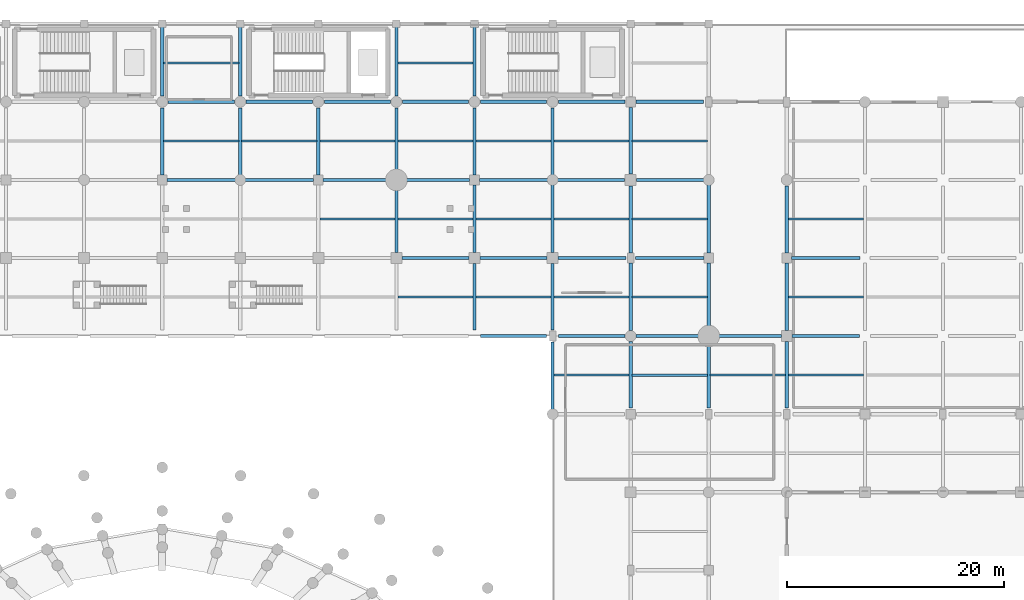
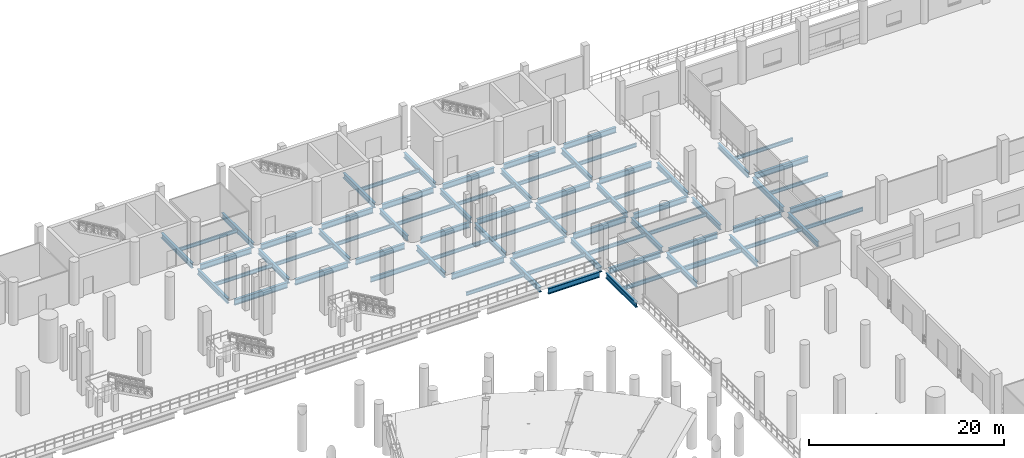
# One storey, part 13 of 58: 74 beams.
"""IFC4 building model written with IfcOpenShell, lengths in metres."""

from ifc_helpers import new_model, si_unit, direction, frame, origin, origin_2d, place, context, subcontext, project, spatial, i_section, extrude, material, material_profile, profile_set, type_object, element, save


model = new_model("IFC4")

# Units and contexts
model_context = context("Model", 3, precision=1e-05, world=origin(), true_north=direction((0.0, 1.0)))
body_context = subcontext(model_context, "Body", "Model", "MODEL_VIEW")
ifc_project = project(units=[si_unit("LENGTHUNIT", "METRE"), si_unit("AREAUNIT", "SQUARE_METRE"), si_unit("VOLUMEUNIT", "CUBIC_METRE"), si_unit("PLANEANGLEUNIT", "RADIAN"), si_unit("MASSUNIT", "GRAM", prefix="KILO")], contexts=[model_context])

# Site, building, storey
site_placement = place(None, origin())
site = spatial("IfcSite", under=ifc_project, at=site_placement, CompositionType="ELEMENT")
building_placement = place(site_placement, origin())
building = spatial("IfcBuilding", under=site, at=building_placement, Name="Qandorah Velis Arena", CompositionType="ELEMENT")
storey_placement = place(building_placement, origin())
storey = spatial("IfcBuildingStorey", under=building, at=storey_placement, Name="L00", CompositionType="ELEMENT", Elevation=0.0)

# Beams
ifc_material = material(Name="Steel S355", Category="steel")
ifc_material_profile_1 = material_profile(ifc_material, i_section(OverallWidth=0.300048828125, OverallDepth=0.64990234375, WebThickness=0.01611328125, FlangeThickness=0.031005859375, FilletRadius=0.027099609375, at=origin_2d()), Name="HEB 650")
ifc_profile_set_1 = profile_set([ifc_material_profile_1], Name="Steel S355")
beam_type_1 = type_object("IfcBeamType", Name="STR-BM-HEB650", PredefinedType="BEAM", material=ifc_profile_set_1)
beam_1_placement = place(storey_placement, frame((64.800048828125, 115.64990234375, -0.7451171875), z_axis=(0.0, 1.0, 0.0), x_axis=(-1.0, 0.0, 0.0)))
element("IfcBeam", 1, at=beam_1_placement, inside=storey, type_object=beam_type_1, Name="Primary floor girder L00 Y-384", PredefinedType="BEAM", context=body_context, shape_type="SweptSolid", body=[
    extrude(i_section(OverallWidth=0.300048828125, OverallDepth=0.64990234375, WebThickness=0.01611328125, FlangeThickness=0.031005859375, FilletRadius=0.027099609375, at=origin_2d()), origin(), (0.0, 0.0, 1.0), 6.2001953125),
])
beam_2_placement = place(storey_placement, frame((64.800048828125, 122.949951171875, -0.7451171875), z_axis=(0.0, 1.0, 0.0), x_axis=(-1.0, 0.0, 0.0)))
element("IfcBeam", 2, at=beam_2_placement, inside=storey, type_object=beam_type_1, Name="Primary floor girder L00 Y-385", PredefinedType="BEAM", context=body_context, shape_type="SweptSolid", body=[
    extrude(i_section(OverallWidth=0.300048828125, OverallDepth=0.64990234375, WebThickness=0.01611328125, FlangeThickness=0.031005859375, FilletRadius=0.027099609375, at=origin_2d()), origin(), (0.0, 0.0, 1.0), 6.35009765625),
])
beam_3_placement = place(storey_placement, frame((72.0, 115.64990234375, -0.7451171875), z_axis=(0.0, 1.0, 0.0), x_axis=(-1.0, 0.0, 0.0)))
element("IfcBeam", 3, at=beam_3_placement, inside=storey, type_object=beam_type_1, Name="Primary floor girder L00 Y-392", PredefinedType="BEAM", context=body_context, shape_type="SweptSolid", body=[
    extrude(i_section(OverallWidth=0.300048828125, OverallDepth=0.64990234375, WebThickness=0.01611328125, FlangeThickness=0.031005859375, FilletRadius=0.027099609375, at=origin_2d()), origin(), (0.0, 0.0, 1.0), 6.2001953125),
])
beam_4_placement = place(storey_placement, frame((72.0, 122.949951171875, -0.7451171875), z_axis=(0.0, 1.0, 0.0), x_axis=(-1.0, 0.0, 0.0)))
element("IfcBeam", 4, at=beam_4_placement, inside=storey, type_object=beam_type_1, Name="Primary floor girder L00 Y-393", PredefinedType="BEAM", context=body_context, shape_type="SweptSolid", body=[
    extrude(i_section(OverallWidth=0.300048828125, OverallDepth=0.64990234375, WebThickness=0.01611328125, FlangeThickness=0.031005859375, FilletRadius=0.027099609375, at=origin_2d()), origin(), (0.0, 0.0, 1.0), 6.35009765625),
])
beam_5_placement = place(storey_placement, frame((79.199951171875, 115.64990234375, -0.7451171875), z_axis=(0.0, 1.0, 0.0), x_axis=(-1.0, 0.0, 0.0)))
element("IfcBeam", 5, at=beam_5_placement, inside=storey, type_object=beam_type_1, Name="Primary floor girder L00 Y-399", PredefinedType="BEAM", context=body_context, shape_type="SweptSolid", body=[
    extrude(i_section(OverallWidth=0.300048828125, OverallDepth=0.64990234375, WebThickness=0.01611328125, FlangeThickness=0.031005859375, FilletRadius=0.027099609375, at=origin_2d()), origin(), (0.0, 0.0, 1.0), 6.2001953125),
])
beam_6_placement = place(storey_placement, frame((86.39990234375, 108.5, -0.7451171875), z_axis=(0.0, 1.0, 0.0), x_axis=(-1.0, 0.0, 0.0)))
element("IfcBeam", 6, at=beam_6_placement, inside=storey, type_object=beam_type_1, Name="Primary floor girder L00 Y-405", PredefinedType="BEAM", context=body_context, shape_type="SweptSolid", body=[
    extrude(i_section(OverallWidth=0.300048828125, OverallDepth=0.64990234375, WebThickness=0.01611328125, FlangeThickness=0.031005859375, FilletRadius=0.027099609375, at=origin_2d()), origin(), (0.0, 0.0, 1.0), 5.75),
])
beam_7_placement = place(storey_placement, frame((86.39990234375, 116.14990234375, -0.7451171875), z_axis=(0.0, 1.0, 0.0), x_axis=(-1.0, 0.0, 0.0)))
element("IfcBeam", 7, at=beam_7_placement, inside=storey, type_object=beam_type_1, Name="Primary floor girder L00 Y-406", PredefinedType="BEAM", context=body_context, shape_type="SweptSolid", body=[
    extrude(i_section(OverallWidth=0.300048828125, OverallDepth=0.64990234375, WebThickness=0.01611328125, FlangeThickness=0.031005859375, FilletRadius=0.027099609375, at=origin_2d()), origin(), (0.0, 0.0, 1.0), 5.7001953125),
])
beam_8_placement = place(storey_placement, frame((86.39990234375, 122.949951171875, -0.7451171875), z_axis=(0.0, 1.0, 0.0), x_axis=(-1.0, 0.0, 0.0)))
element("IfcBeam", 8, at=beam_8_placement, inside=storey, type_object=beam_type_1, Name="Primary floor girder L00 Y-407", PredefinedType="BEAM", context=body_context, shape_type="SweptSolid", body=[
    extrude(i_section(OverallWidth=0.300048828125, OverallDepth=0.64990234375, WebThickness=0.01611328125, FlangeThickness=0.031005859375, FilletRadius=0.027099609375, at=origin_2d()), origin(), (0.0, 0.0, 1.0), 6.35009765625),
])
beam_9_placement = place(storey_placement, frame((93.60009765625, 101.35009765625, -0.7451171875), z_axis=(0.0, 1.0, 0.0), x_axis=(-1.0, 0.0, 0.0)))
element("IfcBeam", 9, at=beam_9_placement, inside=storey, type_object=beam_type_1, Name="Primary floor girder L00 Y-412", PredefinedType="BEAM", context=body_context, shape_type="SweptSolid", body=[
    extrude(i_section(OverallWidth=0.300048828125, OverallDepth=0.64990234375, WebThickness=0.01611328125, FlangeThickness=0.031005859375, FilletRadius=0.027099609375, at=origin_2d()), origin(), (0.0, 0.0, 1.0), 6.14990234375),
])
beam_10_placement = place(storey_placement, frame((93.60009765625, 108.5, -0.7451171875), z_axis=(0.0, 1.0, 0.0), x_axis=(-1.0, 0.0, 0.0)))
element("IfcBeam", 10, at=beam_10_placement, inside=storey, type_object=beam_type_1, Name="Primary floor girder L00 Y-413", PredefinedType="BEAM", context=body_context, shape_type="SweptSolid", body=[
    extrude(i_section(OverallWidth=0.300048828125, OverallDepth=0.64990234375, WebThickness=0.01611328125, FlangeThickness=0.031005859375, FilletRadius=0.027099609375, at=origin_2d()), origin(), (0.0, 0.0, 1.0), 6.25),
])
beam_11_placement = place(storey_placement, frame((93.60009765625, 115.64990234375, -0.7451171875), z_axis=(0.0, 1.0, 0.0), x_axis=(-1.0, 0.0, 0.0)))
element("IfcBeam", 11, at=beam_11_placement, inside=storey, type_object=beam_type_1, Name="Primary floor girder L00 Y-414", PredefinedType="BEAM", context=body_context, shape_type="SweptSolid", body=[
    extrude(i_section(OverallWidth=0.300048828125, OverallDepth=0.64990234375, WebThickness=0.01611328125, FlangeThickness=0.031005859375, FilletRadius=0.027099609375, at=origin_2d()), origin(), (0.0, 0.0, 1.0), 6.2001953125),
])
beam_12_placement = place(storey_placement, frame((93.60009765625, 122.949951171875, -0.7451171875), z_axis=(0.0, 1.0, 0.0), x_axis=(-1.0, 0.0, 0.0)))
element("IfcBeam", 12, at=beam_12_placement, inside=storey, type_object=beam_type_1, Name="Primary floor girder L00 Y-415", PredefinedType="BEAM", context=body_context, shape_type="SweptSolid", body=[
    extrude(i_section(OverallWidth=0.300048828125, OverallDepth=0.64990234375, WebThickness=0.01611328125, FlangeThickness=0.031005859375, FilletRadius=0.027099609375, at=origin_2d()), origin(), (0.0, 0.0, 1.0), 6.35009765625),
])
beam_13_placement = place(storey_placement, frame((100.800048828125, 94.050048828125, -0.7451171875), z_axis=(0.0, 1.0, 0.0), x_axis=(-1.0, 0.0, 0.0)))
element("IfcBeam", 13, at=beam_13_placement, inside=storey, type_object=beam_type_1, Name="Primary floor girder L00 Y-421", PredefinedType="BEAM", context=body_context, shape_type="SweptSolid", body=[
    extrude(i_section(OverallWidth=0.300048828125, OverallDepth=0.64990234375, WebThickness=0.01611328125, FlangeThickness=0.031005859375, FilletRadius=0.027099609375, at=origin_2d()), origin(), (0.0, 0.0, 1.0), 6.199951171875),
])
beam_14_placement = place(storey_placement, frame((100.800048828125, 101.35009765625, -0.7451171875), z_axis=(0.0, 1.0, 0.0), x_axis=(-1.0, 0.0, 0.0)))
element("IfcBeam", 14, at=beam_14_placement, inside=storey, type_object=beam_type_1, Name="Primary floor girder L00 Y-422", PredefinedType="BEAM", context=body_context, shape_type="SweptSolid", body=[
    extrude(i_section(OverallWidth=0.300048828125, OverallDepth=0.64990234375, WebThickness=0.01611328125, FlangeThickness=0.031005859375, FilletRadius=0.027099609375, at=origin_2d()), origin(), (0.0, 0.0, 1.0), 6.14990234375),
])
beam_15_placement = place(storey_placement, frame((100.800048828125, 108.5, -0.7451171875), z_axis=(0.0, 1.0, 0.0), x_axis=(-1.0, 0.0, 0.0)))
element("IfcBeam", 15, at=beam_15_placement, inside=storey, type_object=beam_type_1, Name="Primary floor girder L00 Y-423", PredefinedType="BEAM", context=body_context, shape_type="SweptSolid", body=[
    extrude(i_section(OverallWidth=0.300048828125, OverallDepth=0.64990234375, WebThickness=0.01611328125, FlangeThickness=0.031005859375, FilletRadius=0.027099609375, at=origin_2d()), origin(), (0.0, 0.0, 1.0), 6.25),
])
beam_16_placement = place(storey_placement, frame((100.800048828125, 115.64990234375, -0.7451171875), z_axis=(0.0, 1.0, 0.0), x_axis=(-1.0, 0.0, 0.0)))
element("IfcBeam", 16, at=beam_16_placement, inside=storey, type_object=beam_type_1, Name="Primary floor girder L00 Y-424", PredefinedType="BEAM", context=body_context, shape_type="SweptSolid", body=[
    extrude(i_section(OverallWidth=0.300048828125, OverallDepth=0.64990234375, WebThickness=0.01611328125, FlangeThickness=0.031005859375, FilletRadius=0.027099609375, at=origin_2d()), origin(), (0.0, 0.0, 1.0), 6.2001953125),
])
beam_17_placement = place(storey_placement, frame((108.0, 94.14990234375, -0.7451171875), z_axis=(0.0, 1.0, 0.0), x_axis=(-1.0, 0.0, 0.0)))
element("IfcBeam", 17, at=beam_17_placement, inside=storey, type_object=beam_type_1, Name="Primary floor girder L00 Y-438", PredefinedType="BEAM", context=body_context, shape_type="SweptSolid", body=[
    extrude(i_section(OverallWidth=0.300048828125, OverallDepth=0.64990234375, WebThickness=0.01611328125, FlangeThickness=0.031005859375, FilletRadius=0.027099609375, at=origin_2d()), origin(), (0.0, 0.0, 1.0), 6.150146484375),
])
beam_18_placement = place(storey_placement, frame((108.0, 101.300048828125, -0.7451171875), z_axis=(0.0, 1.0, 0.0), x_axis=(-1.0, 0.0, 0.0)))
element("IfcBeam", 18, at=beam_18_placement, inside=storey, type_object=beam_type_1, Name="Primary floor girder L00 Y-439", PredefinedType="BEAM", context=body_context, shape_type="SweptSolid", body=[
    extrude(i_section(OverallWidth=0.300048828125, OverallDepth=0.64990234375, WebThickness=0.01611328125, FlangeThickness=0.031005859375, FilletRadius=0.027099609375, at=origin_2d()), origin(), (0.0, 0.0, 1.0), 6.25),
])
beam_19_placement = place(storey_placement, frame((108.0, 108.449951171875, -0.7451171875), z_axis=(0.0, 1.0, 0.0), x_axis=(-1.0, 0.0, 0.0)))
element("IfcBeam", 19, at=beam_19_placement, inside=storey, type_object=beam_type_1, Name="Primary floor girder L00 Y-440", PredefinedType="BEAM", context=body_context, shape_type="SweptSolid", body=[
    extrude(i_section(OverallWidth=0.300048828125, OverallDepth=0.64990234375, WebThickness=0.01611328125, FlangeThickness=0.031005859375, FilletRadius=0.027099609375, at=origin_2d()), origin(), (0.0, 0.0, 1.0), 6.199951171875),
])
beam_20_placement = place(storey_placement, frame((108.0, 115.75, -0.7451171875), z_axis=(0.0, 1.0, 0.0), x_axis=(-1.0, 0.0, 0.0)))
element("IfcBeam", 20, at=beam_20_placement, inside=storey, type_object=beam_type_1, Name="Primary floor girder L00 Y-441", PredefinedType="BEAM", context=body_context, shape_type="SweptSolid", body=[
    extrude(i_section(OverallWidth=0.300048828125, OverallDepth=0.64990234375, WebThickness=0.01611328125, FlangeThickness=0.031005859375, FilletRadius=0.027099609375, at=origin_2d()), origin(), (0.0, 0.0, 1.0), 6.14990234375),
])
beam_21_placement = place(storey_placement, frame((115.199951171875, 94.14990234375, -0.7451171875), z_axis=(0.0, 1.0, 0.0), x_axis=(-1.0, 0.0, 0.0)))
element("IfcBeam", 21, at=beam_21_placement, inside=storey, type_object=beam_type_1, Name="Primary floor girder L00 Y-455", PredefinedType="BEAM", context=body_context, shape_type="SweptSolid", body=[
    extrude(i_section(OverallWidth=0.300048828125, OverallDepth=0.64990234375, WebThickness=0.01611328125, FlangeThickness=0.031005859375, FilletRadius=0.027099609375, at=origin_2d()), origin(), (0.0, 0.0, 1.0), 5.7001953125),
])
beam_22_placement = place(storey_placement, frame((115.199951171875, 101.75, -0.7451171875), z_axis=(0.0, 1.0, 0.0), x_axis=(-1.0, 0.0, 0.0)))
element("IfcBeam", 22, at=beam_22_placement, inside=storey, type_object=beam_type_1, Name="Primary floor girder L00 Y-456", PredefinedType="BEAM", context=body_context, shape_type="SweptSolid", body=[
    extrude(i_section(OverallWidth=0.300048828125, OverallDepth=0.64990234375, WebThickness=0.01611328125, FlangeThickness=0.031005859375, FilletRadius=0.027099609375, at=origin_2d()), origin(), (0.0, 0.0, 1.0), 5.800048828125),
])
beam_23_placement = place(storey_placement, frame((115.199951171875, 108.449951171875, -0.7451171875), z_axis=(0.0, 1.0, 0.0), x_axis=(-1.0, 0.0, 0.0)))
element("IfcBeam", 23, at=beam_23_placement, inside=storey, type_object=beam_type_1, Name="Primary floor girder L00 Y-457", PredefinedType="BEAM", context=body_context, shape_type="SweptSolid", body=[
    extrude(i_section(OverallWidth=0.300048828125, OverallDepth=0.64990234375, WebThickness=0.01611328125, FlangeThickness=0.031005859375, FilletRadius=0.027099609375, at=origin_2d()), origin(), (0.0, 0.0, 1.0), 6.300048828125),
])
beam_24_placement = place(storey_placement, frame((122.39990234375, 94.14990234375, -0.7451171875), z_axis=(0.0, 1.0, 0.0), x_axis=(-1.0, 0.0, 0.0)))
element("IfcBeam", 24, at=beam_24_placement, inside=storey, type_object=beam_type_1, Name="Primary floor girder L00 Y-467", PredefinedType="BEAM", context=body_context, shape_type="SweptSolid", body=[
    extrude(i_section(OverallWidth=0.300048828125, OverallDepth=0.64990234375, WebThickness=0.01611328125, FlangeThickness=0.031005859375, FilletRadius=0.027099609375, at=origin_2d()), origin(), (0.0, 0.0, 1.0), 6.150146484375),
])
beam_25_placement = place(storey_placement, frame((122.39990234375, 101.300048828125, -0.7451171875), z_axis=(0.0, 1.0, 0.0), x_axis=(-1.0, 0.0, 0.0)))
element("IfcBeam", 25, at=beam_25_placement, inside=storey, type_object=beam_type_1, Name="Primary floor girder L00 Y-468", PredefinedType="BEAM", context=body_context, shape_type="SweptSolid", body=[
    extrude(i_section(OverallWidth=0.300048828125, OverallDepth=0.64990234375, WebThickness=0.01611328125, FlangeThickness=0.031005859375, FilletRadius=0.027099609375, at=origin_2d()), origin(), (0.0, 0.0, 1.0), 6.25),
])
beam_26_placement = place(storey_placement, frame((122.39990234375, 108.449951171875, -0.7451171875), z_axis=(0.0, 1.0, 0.0), x_axis=(-1.0, 0.0, 0.0)))
element("IfcBeam", 26, at=beam_26_placement, inside=storey, type_object=beam_type_1, Name="Primary floor girder L00 Y-469", PredefinedType="BEAM", context=body_context, shape_type="SweptSolid", body=[
    extrude(i_section(OverallWidth=0.300048828125, OverallDepth=0.64990234375, WebThickness=0.01611328125, FlangeThickness=0.031005859375, FilletRadius=0.027099609375, at=origin_2d()), origin(), (0.0, 0.0, 1.0), 6.199951171875),
])
ifc_material_profile_2 = material_profile(ifc_material, i_section(OverallWidth=0.300048828125, OverallDepth=0.699951171875, WebThickness=0.01708984375, FlangeThickness=0.031982421875, FilletRadius=0.027099609375, at=origin_2d()), Name="HEB 700")
ifc_profile_set_2 = profile_set([ifc_material_profile_2], Name="Steel S355")
beam_type_2 = type_object("IfcBeamType", Name="STR-BM-HEB700", PredefinedType="BEAM", material=ifc_profile_set_2)
beam_27_placement = place(storey_placement, frame((94.14990234375, 100.800048828125, -0.77001953125), z_axis=(1.0, 0.0, 0.0), x_axis=(0.0, 1.0, 0.0)))
element("IfcBeam", 27, at=beam_27_placement, inside=storey, type_object=beam_type_2, Name="Primary floor girder L00 X-186", PredefinedType="BEAM", context=body_context, shape_type="SweptSolid", body=[
    extrude(i_section(OverallWidth=0.300048828125, OverallDepth=0.699951171875, WebThickness=0.01708984375, FlangeThickness=0.031982421875, FilletRadius=0.027099609375, at=origin_2d()), origin(), (0.0, 0.0, 1.0), 6.10009765625),
])
beam_28_placement = place(storey_placement, frame((101.35009765625, 100.800048828125, -0.77001953125), z_axis=(1.0, 0.0, 0.0), x_axis=(0.0, 1.0, 0.0)))
element("IfcBeam", 28, at=beam_28_placement, inside=storey, type_object=beam_type_2, Name="Primary floor girder L00 X-187", PredefinedType="BEAM", context=body_context, shape_type="SweptSolid", body=[
    extrude(i_section(OverallWidth=0.300048828125, OverallDepth=0.699951171875, WebThickness=0.01708984375, FlangeThickness=0.031982421875, FilletRadius=0.027099609375, at=origin_2d()), origin(), (0.0, 0.0, 1.0), 6.14990234375),
])
for number, where, z_axis, x_axis, name in (
    (29, (108.5, 100.800048828125, -0.77001953125), (1.0, 0.0, 0.0), (0.0, 1.0, 0.0), "Primary floor girder L00 X-188"),
    (30, (116.14990234375, 100.800048828125, -0.77001953125), (1.0, 0.0, 0.0), (0.0, 1.0, 0.0), "Primary floor girder L00 X-189"),
):
    element("IfcBeam", number, at=place(storey_placement, frame(where, z_axis=z_axis, x_axis=x_axis)), inside=storey, type_object=beam_type_2, Name=name, PredefinedType="BEAM", context=body_context, shape_type="SweptSolid", body=[
        extrude(i_section(OverallWidth=0.300048828125, OverallDepth=0.699951171875, WebThickness=0.01708984375, FlangeThickness=0.031982421875, FilletRadius=0.027099609375, at=origin_2d()), origin(), (0.0, 0.0, 1.0), 5.75),
    ])
for number, where, z_axis, x_axis, name in (
    (31, (122.89990234375, 100.800048828125, -0.77001953125), (1.0, 0.0, 0.0), (0.0, 1.0, 0.0), "Primary floor girder L00 X-190"),
    (32, (86.89990234375, 108.0, -0.77001953125), (1.0, 0.0, 0.0), (0.0, 1.0, 0.0), "Primary floor girder L00 X-207"),
):
    element("IfcBeam", number, at=place(storey_placement, frame(where, z_axis=z_axis, x_axis=x_axis)), inside=storey, type_object=beam_type_2, Name=name, PredefinedType="BEAM", context=body_context, shape_type="SweptSolid", body=[
        extrude(i_section(OverallWidth=0.300048828125, OverallDepth=0.699951171875, WebThickness=0.01708984375, FlangeThickness=0.031982421875, FilletRadius=0.027099609375, at=origin_2d()), origin(), (0.0, 0.0, 1.0), 6.2001953125),
    ])
beam_29_placement = place(storey_placement, frame((94.10009765625, 108.0, -0.77001953125), z_axis=(1.0, 0.0, 0.0), x_axis=(0.0, 1.0, 0.0)))
element("IfcBeam", 33, at=beam_29_placement, inside=storey, type_object=beam_type_2, Name="Primary floor girder L00 X-208", PredefinedType="BEAM", context=body_context, shape_type="SweptSolid", body=[
    extrude(i_section(OverallWidth=0.300048828125, OverallDepth=0.699951171875, WebThickness=0.01708984375, FlangeThickness=0.031982421875, FilletRadius=0.027099609375, at=origin_2d()), origin(), (0.0, 0.0, 1.0), 6.199951171875),
])
beam_30_placement = place(storey_placement, frame((101.300048828125, 108.0, -0.77001953125), z_axis=(1.0, 0.0, 0.0), x_axis=(0.0, 1.0, 0.0)))
element("IfcBeam", 34, at=beam_30_placement, inside=storey, type_object=beam_type_2, Name="Primary floor girder L00 X-209", PredefinedType="BEAM", context=body_context, shape_type="SweptSolid", body=[
    extrude(i_section(OverallWidth=0.300048828125, OverallDepth=0.699951171875, WebThickness=0.01708984375, FlangeThickness=0.031982421875, FilletRadius=0.027099609375, at=origin_2d()), origin(), (0.0, 0.0, 1.0), 6.25),
])
beam_31_placement = place(storey_placement, frame((108.449951171875, 108.0, -0.77001953125), z_axis=(1.0, 0.0, 0.0), x_axis=(0.0, 1.0, 0.0)))
element("IfcBeam", 35, at=beam_31_placement, inside=storey, type_object=beam_type_2, Name="Primary floor girder L00 X-210", PredefinedType="BEAM", context=body_context, shape_type="SweptSolid", body=[
    extrude(i_section(OverallWidth=0.300048828125, OverallDepth=0.699951171875, WebThickness=0.01708984375, FlangeThickness=0.031982421875, FilletRadius=0.027099609375, at=origin_2d()), origin(), (0.0, 0.0, 1.0), 6.300048828125),
])
beam_32_placement = place(storey_placement, frame((122.85009765625, 108.0, -0.77001953125), z_axis=(1.0, 0.0, 0.0), x_axis=(0.0, 1.0, 0.0)))
element("IfcBeam", 36, at=beam_32_placement, inside=storey, type_object=beam_type_2, Name="Primary floor girder L00 X-211", PredefinedType="BEAM", context=body_context, shape_type="SweptSolid", body=[
    extrude(i_section(OverallWidth=0.300048828125, OverallDepth=0.699951171875, WebThickness=0.01708984375, FlangeThickness=0.031982421875, FilletRadius=0.027099609375, at=origin_2d()), origin(), (0.0, 0.0, 1.0), 6.2998046875),
])
for number, where, z_axis, x_axis, name in (
    (37, (65.25, 115.199951171875, -0.77001953125), (1.0, 0.0, 0.0), (0.0, 1.0, 0.0), "Primary floor girder L00 X-223"),
    (38, (72.449951171875, 115.199951171875, -0.77001953125), (1.0, 0.0, 0.0), (0.0, 1.0, 0.0), "Primary floor girder L00 X-224"),
):
    element("IfcBeam", number, at=place(storey_placement, frame(where, z_axis=z_axis, x_axis=x_axis)), inside=storey, type_object=beam_type_2, Name=name, PredefinedType="BEAM", context=body_context, shape_type="SweptSolid", body=[
        extrude(i_section(OverallWidth=0.300048828125, OverallDepth=0.699951171875, WebThickness=0.01708984375, FlangeThickness=0.031982421875, FilletRadius=0.027099609375, at=origin_2d()), origin(), (0.0, 0.0, 1.0), 6.300048828125),
    ])
beam_33_placement = place(storey_placement, frame((79.64990234375, 115.199951171875, -0.77001953125), z_axis=(1.0, 0.0, 0.0), x_axis=(0.0, 1.0, 0.0)))
element("IfcBeam", 39, at=beam_33_placement, inside=storey, type_object=beam_type_2, Name="Primary floor girder L00 X-225", PredefinedType="BEAM", context=body_context, shape_type="SweptSolid", body=[
    extrude(i_section(OverallWidth=0.300048828125, OverallDepth=0.699951171875, WebThickness=0.01708984375, FlangeThickness=0.031982421875, FilletRadius=0.027099609375, at=origin_2d()), origin(), (0.0, 0.0, 1.0), 5.800048828125),
])
beam_34_placement = place(storey_placement, frame((87.35009765625, 115.199951171875, -0.77001953125), z_axis=(1.0, 0.0, 0.0), x_axis=(0.0, 1.0, 0.0)))
element("IfcBeam", 40, at=beam_34_placement, inside=storey, type_object=beam_type_2, Name="Primary floor girder L00 X-226", PredefinedType="BEAM", context=body_context, shape_type="SweptSolid", body=[
    extrude(i_section(OverallWidth=0.300048828125, OverallDepth=0.699951171875, WebThickness=0.01708984375, FlangeThickness=0.031982421875, FilletRadius=0.027099609375, at=origin_2d()), origin(), (0.0, 0.0, 1.0), 5.7998046875),
])
beam_35_placement = place(storey_placement, frame((94.050048828125, 115.199951171875, -0.77001953125), z_axis=(1.0, 0.0, 0.0), x_axis=(0.0, 1.0, 0.0)))
element("IfcBeam", 41, at=beam_35_placement, inside=storey, type_object=beam_type_2, Name="Primary floor girder L00 X-227", PredefinedType="BEAM", context=body_context, shape_type="SweptSolid", body=[
    extrude(i_section(OverallWidth=0.300048828125, OverallDepth=0.699951171875, WebThickness=0.01708984375, FlangeThickness=0.031982421875, FilletRadius=0.027099609375, at=origin_2d()), origin(), (0.0, 0.0, 1.0), 6.300048828125),
])
for number, where, z_axis, x_axis, name in (
    (42, (101.25, 115.199951171875, -0.77001953125), (1.0, 0.0, 0.0), (0.0, 1.0, 0.0), "Primary floor girder L00 X-228"),
    (43, (108.550048828125, 115.199951171875, -0.77001953125), (1.0, 0.0, 0.0), (0.0, 1.0, 0.0), "Primary floor girder L00 X-229"),
):
    element("IfcBeam", number, at=place(storey_placement, frame(where, z_axis=z_axis, x_axis=x_axis)), inside=storey, type_object=beam_type_2, Name=name, PredefinedType="BEAM", context=body_context, shape_type="SweptSolid", body=[
        extrude(i_section(OverallWidth=0.300048828125, OverallDepth=0.699951171875, WebThickness=0.01708984375, FlangeThickness=0.031982421875, FilletRadius=0.027099609375, at=origin_2d()), origin(), (0.0, 0.0, 1.0), 6.199951171875),
    ])
for number, where, z_axis, x_axis, name in (
    (44, (65.35009765625, 122.39990234375, -0.77001953125), (1.0, 0.0, 0.0), (0.0, 1.0, 0.0), "Primary floor girder L00 X-245"),
    (45, (72.550048828125, 122.39990234375, -0.77001953125), (1.0, 0.0, 0.0), (0.0, 1.0, 0.0), "Primary floor girder L00 X-246"),
):
    element("IfcBeam", number, at=place(storey_placement, frame(where, z_axis=z_axis, x_axis=x_axis)), inside=storey, type_object=beam_type_2, Name=name, PredefinedType="BEAM", context=body_context, shape_type="SweptSolid", body=[
        extrude(i_section(OverallWidth=0.300048828125, OverallDepth=0.699951171875, WebThickness=0.01708984375, FlangeThickness=0.031982421875, FilletRadius=0.027099609375, at=origin_2d()), origin(), (0.0, 0.0, 1.0), 6.099853515625),
    ])
for number, where, z_axis, x_axis, name in (
    (46, (79.75, 122.39990234375, -0.77001953125), (1.0, 0.0, 0.0), (0.0, 1.0, 0.0), "Primary floor girder L00 X-247"),
    (47, (86.949951171875, 122.39990234375, -0.77001953125), (1.0, 0.0, 0.0), (0.0, 1.0, 0.0), "Primary floor girder L00 X-248"),
    (48, (94.14990234375, 122.39990234375, -0.77001953125), (1.0, 0.0, 0.0), (0.0, 1.0, 0.0), "Primary floor girder L00 X-249"),
):
    element("IfcBeam", number, at=place(storey_placement, frame(where, z_axis=z_axis, x_axis=x_axis)), inside=storey, type_object=beam_type_2, Name=name, PredefinedType="BEAM", context=body_context, shape_type="SweptSolid", body=[
        extrude(i_section(OverallWidth=0.300048828125, OverallDepth=0.699951171875, WebThickness=0.01708984375, FlangeThickness=0.031982421875, FilletRadius=0.027099609375, at=origin_2d()), origin(), (0.0, 0.0, 1.0), 6.10009765625),
    ])
beam_36_placement = place(storey_placement, frame((101.35009765625, 122.39990234375, -0.77001953125), z_axis=(1.0, 0.0, 0.0), x_axis=(0.0, 1.0, 0.0)))
element("IfcBeam", 49, at=beam_36_placement, inside=storey, type_object=beam_type_2, Name="Primary floor girder L00 X-250", PredefinedType="BEAM", context=body_context, shape_type="SweptSolid", body=[
    extrude(i_section(OverallWidth=0.300048828125, OverallDepth=0.699951171875, WebThickness=0.01708984375, FlangeThickness=0.031982421875, FilletRadius=0.027099609375, at=origin_2d()), origin(), (0.0, 0.0, 1.0), 6.14990234375),
])
beam_37_placement = place(storey_placement, frame((108.5, 122.39990234375, -0.77001953125), z_axis=(1.0, 0.0, 0.0), x_axis=(0.0, 1.0, 0.0)))
element("IfcBeam", 50, at=beam_37_placement, inside=storey, type_object=beam_type_2, Name="Primary floor girder L00 X-251", PredefinedType="BEAM", context=body_context, shape_type="SweptSolid", body=[
    extrude(i_section(OverallWidth=0.300048828125, OverallDepth=0.699951171875, WebThickness=0.01708984375, FlangeThickness=0.031982421875, FilletRadius=0.027099609375, at=origin_2d()), origin(), (0.0, 0.0, 1.0), 6.199951171875),
])
ifc_material_profile_3 = material_profile(ifc_material, i_section(OverallWidth=0.18994140625, OverallDepth=0.449951171875, WebThickness=0.009521484375, FlangeThickness=0.0146484375, FilletRadius=0.02099609375, at=origin_2d()), Name="IPE 450")
ifc_profile_set_3 = profile_set([ifc_material_profile_3], Name="Steel S355")
beam_type_3 = type_object("IfcBeamType", Name="STR-JST-IPE450", PredefinedType="JOIST", material=ifc_profile_set_3)
for number, where, z_axis, x_axis, name in (
    (51, (64.93505859375, 118.800048828125, -0.64501953125), (1.0, 0.0, 0.0), (0.0, 1.0, 0.0), "Secondary floor joist L00-099"),
    (52, (64.93505859375, 126.0, -0.64501953125), (1.0, 0.0, 0.0), (0.0, 1.0, 0.0), "Secondary floor joist L00-100"),
    (53, (72.135009765625, 118.800048828125, -0.64501953125), (1.0, 0.0, 0.0), (0.0, 1.0, 0.0), "Secondary floor joist L00-106"),
    (54, (79.3349609375, 118.800048828125, -0.64501953125), (1.0, 0.0, 0.0), (0.0, 1.0, 0.0), "Secondary floor joist L00-112"),
):
    element("IfcBeam", number, at=place(storey_placement, frame(where, z_axis=z_axis, x_axis=x_axis)), inside=storey, type_object=beam_type_3, Name=name, PredefinedType="JOIST", context=body_context, shape_type="SweptSolid", body=[
        extrude(i_section(OverallWidth=0.18994140625, OverallDepth=0.449951171875, WebThickness=0.009521484375, FlangeThickness=0.0146484375, FilletRadius=0.02099609375, at=origin_2d()), origin(), (0.0, 0.0, 1.0), 6.929931640625),
    ])
for number, where, z_axis, x_axis, name in (
    (55, (86.534912109375, 104.39990234375, -0.64501953125), (1.0, 0.0, 0.0), (0.0, 1.0, 0.0), "Secondary floor joist L00-117"),
    (56, (86.534912109375, 111.60009765625, -0.64501953125), (1.0, 0.0, 0.0), (0.0, 1.0, 0.0), "Secondary floor joist L00-118"),
    (57, (86.534912109375, 118.800048828125, -0.64501953125), (1.0, 0.0, 0.0), (0.0, 1.0, 0.0), "Secondary floor joist L00-119"),
    (58, (86.534912109375, 126.0, -0.64501953125), (1.0, 0.0, 0.0), (0.0, 1.0, 0.0), "Secondary floor joist L00-120"),
):
    element("IfcBeam", number, at=place(storey_placement, frame(where, z_axis=z_axis, x_axis=x_axis)), inside=storey, type_object=beam_type_3, Name=name, PredefinedType="JOIST", context=body_context, shape_type="SweptSolid", body=[
        extrude(i_section(OverallWidth=0.18994140625, OverallDepth=0.449951171875, WebThickness=0.009521484375, FlangeThickness=0.0146484375, FilletRadius=0.02099609375, at=origin_2d()), origin(), (0.0, 0.0, 1.0), 6.93017578125),
    ])
for number, where, z_axis, x_axis, name in (
    (59, (93.735107421875, 104.39990234375, -0.64501953125), (1.0, 0.0, 0.0), (0.0, 1.0, 0.0), "Secondary floor joist L00-125"),
    (60, (93.735107421875, 111.60009765625, -0.64501953125), (1.0, 0.0, 0.0), (0.0, 1.0, 0.0), "Secondary floor joist L00-126"),
    (61, (93.735107421875, 118.800048828125, -0.64501953125), (1.0, 0.0, 0.0), (0.0, 1.0, 0.0), "Secondary floor joist L00-127"),
    (62, (100.93505859375, 104.39990234375, -0.64501953125), (1.0, 0.0, 0.0), (0.0, 1.0, 0.0), "Secondary floor joist L00-134"),
    (63, (100.93505859375, 111.60009765625, -0.64501953125), (1.0, 0.0, 0.0), (0.0, 1.0, 0.0), "Secondary floor joist L00-135"),
    (64, (100.93505859375, 118.800048828125, -0.64501953125), (1.0, 0.0, 0.0), (0.0, 1.0, 0.0), "Secondary floor joist L00-136"),
    (65, (108.135009765625, 104.39990234375, -0.64501953125), (1.0, 0.0, 0.0), (0.0, 1.0, 0.0), "Secondary floor joist L00-149"),
    (66, (108.135009765625, 111.60009765625, -0.64501953125), (1.0, 0.0, 0.0), (0.0, 1.0, 0.0), "Secondary floor joist L00-150"),
    (67, (108.135009765625, 118.800048828125, -0.64501953125), (1.0, 0.0, 0.0), (0.0, 1.0, 0.0), "Secondary floor joist L00-151"),
    (68, (115.3349609375, 97.199951171875, -0.64501953125), (1.0, 0.0, 0.0), (0.0, 1.0, 0.0), "Secondary floor joist L00-156"),
):
    element("IfcBeam", number, at=place(storey_placement, frame(where, z_axis=z_axis, x_axis=x_axis)), inside=storey, type_object=beam_type_3, Name=name, PredefinedType="JOIST", context=body_context, shape_type="SweptSolid", body=[
        extrude(i_section(OverallWidth=0.18994140625, OverallDepth=0.449951171875, WebThickness=0.009521484375, FlangeThickness=0.0146484375, FilletRadius=0.02099609375, at=origin_2d()), origin(), (0.0, 0.0, 1.0), 6.929931640625),
    ])
for number, where, z_axis, x_axis, name in (
    (69, (122.534912109375, 97.199951171875, -0.64501953125), (1.0, 0.0, 0.0), (0.0, 1.0, 0.0), "Secondary floor joist L00-164"),
    (70, (122.534912109375, 104.39990234375, -0.64501953125), (1.0, 0.0, 0.0), (0.0, 1.0, 0.0), "Secondary floor joist L00-165"),
    (71, (122.534912109375, 111.60009765625, -0.64501953125), (1.0, 0.0, 0.0), (0.0, 1.0, 0.0), "Secondary floor joist L00-166"),
):
    element("IfcBeam", number, at=place(storey_placement, frame(where, z_axis=z_axis, x_axis=x_axis)), inside=storey, type_object=beam_type_3, Name=name, PredefinedType="JOIST", context=body_context, shape_type="SweptSolid", body=[
        extrude(i_section(OverallWidth=0.18994140625, OverallDepth=0.449951171875, WebThickness=0.009521484375, FlangeThickness=0.0146484375, FilletRadius=0.02099609375, at=origin_2d()), origin(), (0.0, 0.0, 1.0), 6.93017578125),
    ])
ifc_material_profile_4 = material_profile(ifc_material, i_section(OverallWidth=0.199951171875, OverallDepth=0.5, WebThickness=0.01025390625, FlangeThickness=0.01611328125, FilletRadius=0.02099609375, at=origin_2d()), Name="IPE 500")
ifc_profile_set_4 = profile_set([ifc_material_profile_4], Name="Steel S355")
beam_type_4 = type_object("IfcBeamType", Name="STR-JST-IPE500", PredefinedType="JOIST", material=ifc_profile_set_4)
beam_38_placement = place(storey_placement, frame((100.93505859375, 97.199951171875, -0.669921875), z_axis=(1.0, 0.0, 0.0), x_axis=(0.0, 1.0, 0.0)))
element("IfcBeam", 72, at=beam_38_placement, inside=storey, type_object=beam_type_4, Name="Secondary floor joist L00-133", PredefinedType="JOIST", context=body_context, shape_type="SweptSolid", body=[
    extrude(i_section(OverallWidth=0.199951171875, OverallDepth=0.5, WebThickness=0.01025390625, FlangeThickness=0.01611328125, FilletRadius=0.02099609375, at=origin_2d()), origin(), (0.0, 0.0, 1.0), 6.929931640625),
])
ifc_material_profile_5 = material_profile(ifc_material, i_section(OverallWidth=0.219970703125, OverallDepth=0.60009765625, WebThickness=0.011962890625, FlangeThickness=0.01904296875, FilletRadius=0.02392578125, at=origin_2d()), Name="IPE 600")
ifc_profile_set_5 = profile_set([ifc_material_profile_5], Name="Steel S355")
beam_type_5 = type_object("IfcBeamType", Name="STR-JST-IPE600", PredefinedType="JOIST", material=ifc_profile_set_5)
for number, where, z_axis, x_axis, name in (
    (73, (79.3349609375, 111.60009765625, -0.719970703125), (1.0, 0.0, 0.0), (0.0, 1.0, 0.0), "Secondary floor joist L00-111"),
    (74, (108.135009765625, 97.199951171875, -0.719970703125), (1.0, 0.0, 0.0), (0.0, 1.0, 0.0), "Secondary floor joist L00-148"),
):
    element("IfcBeam", number, at=place(storey_placement, frame(where, z_axis=z_axis, x_axis=x_axis)), inside=storey, type_object=beam_type_5, Name=name, PredefinedType="JOIST", context=body_context, shape_type="SweptSolid", body=[
        extrude(i_section(OverallWidth=0.219970703125, OverallDepth=0.60009765625, WebThickness=0.011962890625, FlangeThickness=0.01904296875, FilletRadius=0.02392578125, at=origin_2d()), origin(), (0.0, 0.0, 1.0), 6.929931640625),
    ])

save(model, "model.ifc")
